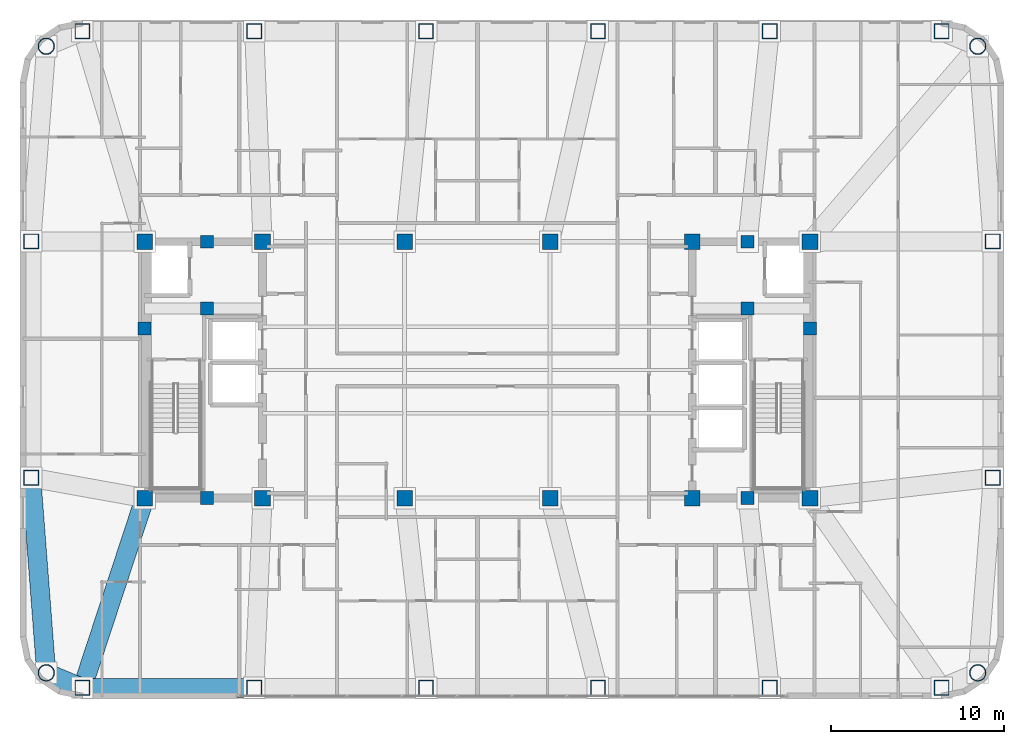
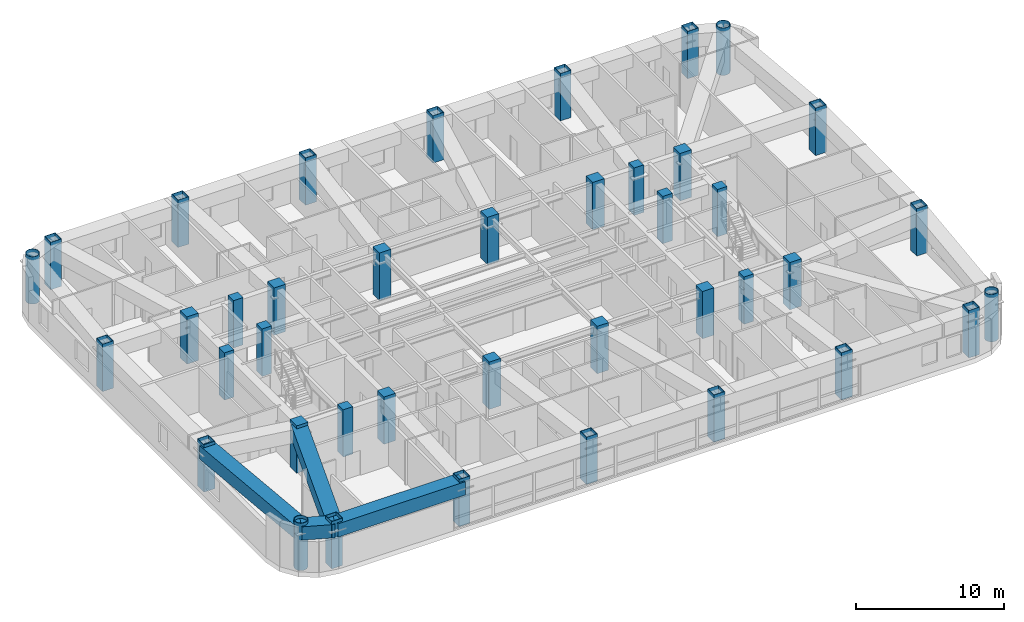
# One storey, part 1 of 16: 40 columns, 4 beams.
"""IFC4 building model written with IfcOpenShell, lengths in metres."""

from ifc_helpers import new_model, si_unit, direction, frame, origin, origin_2d, place, context, subcontext, project, spatial, rectangle, hollow_rectangle, hollow_circle, extrude, material, material_profile, profile_set, type_object, element, save


model = new_model("IFC4")

# Units and contexts
model_context = context("Model", 3, precision=1e-05, world=origin(), true_north=direction((0.0, 1.0)))
body_context = subcontext(model_context, "Body", "Model", "MODEL_VIEW")
ifc_project = project(units=[si_unit("LENGTHUNIT", "METRE"), si_unit("AREAUNIT", "SQUARE_METRE"), si_unit("VOLUMEUNIT", "CUBIC_METRE"), si_unit("PLANEANGLEUNIT", "RADIAN"), si_unit("MASSUNIT", "GRAM", prefix="KILO")], contexts=[model_context])

# Site, building, storey
site_placement = place(None, origin())
site = spatial("IfcSite", under=ifc_project, at=site_placement, CompositionType="ELEMENT")
building_placement = place(site_placement, origin())
building = spatial("IfcBuilding", under=site, at=building_placement, Name="Voryun Gate Residences", CompositionType="ELEMENT")
storey_placement = place(building_placement, frame((0.0, 0.0, 200.199951171875)))
storey = spatial("IfcBuildingStorey", under=building, at=storey_placement, Name="L49", CompositionType="ELEMENT", Elevation=200.199951171875)

# Columns
ifc_material_1 = material(Name="Concrete C50/60", Category="concrete")
ifc_material_profile_1 = material_profile(ifc_material_1, rectangle(XDim=0.75, YDim=0.75, at=origin_2d()), Name="RC-750x750")
ifc_profile_set_1 = profile_set([ifc_material_profile_1], Name="Concrete C50/60")
column_type_1 = type_object("IfcColumnType", Name="COL_CORE_750", PredefinedType="COLUMN", material=ifc_profile_set_1)
for number, where, z_axis, x_axis, name in (
    (1, (-19.199951171875, 2.39990234375, 0.0), (0.0, 0.0, 1.0), (1.0, 0.0, 0.0), "L49 Core boundary column WC-MW"),
    (2, (-15.60009765625, -7.39990234375, 0.0), (0.0, 0.0, 1.0), (1.0, 0.0, 0.0), "L49 Core boundary column WC-SM"),
    (3, (-15.60009765625, 7.39990234375, 0.0), (0.0, 0.0, 1.0), (1.0, 0.0, 0.0), "L49 Core boundary column WC-NM"),
    (4, (-15.60009765625, 3.550048828125, 0.0), (0.0, 0.0, 1.0), (1.0, 0.0, 0.0), "L49 Core boundary column WC-MM"),
    (5, (15.60009765625, 3.550048828125, 0.0), (0.0, 0.0, 1.0), (1.0, 0.0, 0.0), "L49 Core boundary column EC-MM"),
    (6, (15.60009765625, -7.39990234375, 0.0), (0.0, 0.0, 1.0), (1.0, 0.0, 0.0), "L49 Core boundary column EC-SM"),
    (7, (15.60009765625, 7.39990234375, 0.0), (0.0, 0.0, 1.0), (1.0, 0.0, 0.0), "L49 Core boundary column EC-NM"),
    (8, (19.199951171875, 2.39990234375, 0.0), (0.0, 0.0, 1.0), (1.0, 0.0, 0.0), "L49 Core boundary column EC-ME"),
):
    element("IfcColumn", number, at=place(storey_placement, frame(where, z_axis=z_axis, x_axis=x_axis)), inside=storey, type_object=column_type_1, Name=name, PredefinedType="COLUMN", context=body_context, shape_type="SweptSolid", body=[
        extrude(rectangle(XDim=0.75, YDim=0.75, at=origin_2d()), origin(), (0.0, 0.0, 1.0), 3.900146484375),
    ])
ifc_material_2 = material(Name="Concrete C50/60", Category="concrete")
ifc_material_profile_2 = material_profile(ifc_material_2, rectangle(XDim=0.89990234375, YDim=0.89990234375, at=origin_2d()), Name="RC-900x900")
ifc_profile_set_2 = profile_set([ifc_material_profile_2], Name="Concrete C50/60")
column_type_2 = type_object("IfcColumnType", Name="COL_CORE_900", PredefinedType="COLUMN", material=ifc_profile_set_2)
for number, where, z_axis, x_axis, name in (
    (9, (-19.199951171875, -7.39990234375, 0.0), (0.0, 0.0, 1.0), (1.0, 0.0, 0.0), "L49 Core boundary column WC-SW"),
    (10, (-19.199951171875, 7.39990234375, 0.0), (0.0, 0.0, 1.0), (1.0, 0.0, 0.0), "L49 Core boundary column WC-NW"),
    (11, (-12.39990234375, -7.39990234375, 0.0), (0.0, 0.0, 1.0), (1.0, 0.0, 0.0), "L49 Core boundary column WC-SE"),
    (12, (-12.39990234375, 7.39990234375, 0.0), (0.0, 0.0, 1.0), (1.0, 0.0, 0.0), "L49 Core boundary column WC-NE"),
    (13, (12.39990234375, -7.39990234375, 0.0), (0.0, 0.0, 1.0), (1.0, 0.0, 0.0), "L49 Core boundary column EC-SW"),
    (14, (12.39990234375, 7.39990234375, 0.0), (0.0, 0.0, 1.0), (1.0, 0.0, 0.0), "L49 Core boundary column EC-NW"),
    (15, (19.199951171875, -7.39990234375, 0.0), (0.0, 0.0, 1.0), (1.0, 0.0, 0.0), "L49 Core boundary column EC-SE"),
    (16, (19.199951171875, 7.39990234375, 0.0), (0.0, 0.0, 1.0), (1.0, 0.0, 0.0), "L49 Core boundary column EC-NE"),
    (17, (-4.199951171875, -7.39990234375, 0.0), (0.0, 0.0, 1.0), (1.0, 0.0, 0.0), "L49 Interior spine column SP-WS"),
    (18, (-4.199951171875, 7.39990234375, 0.0), (0.0, 0.0, 1.0), (1.0, 0.0, 0.0), "L49 Interior spine column SP-WN"),
    (19, (4.199951171875, -7.39990234375, 0.0), (0.0, 0.0, 1.0), (1.0, 0.0, 0.0), "L49 Interior spine column SP-ES"),
    (20, (4.199951171875, 7.39990234375, 0.0), (0.0, 0.0, 1.0), (1.0, 0.0, 0.0), "L49 Interior spine column SP-EN"),
):
    element("IfcColumn", number, at=place(storey_placement, frame(where, z_axis=z_axis, x_axis=x_axis)), inside=storey, type_object=column_type_2, Name=name, PredefinedType="COLUMN", context=body_context, shape_type="SweptSolid", body=[
        extrude(rectangle(XDim=0.89990234375, YDim=0.89990234375, at=origin_2d()), origin(), (0.0, 0.0, 1.0), 3.900146484375),
    ])
ifc_material_3 = material(Name="Steel SM420", Category="steel")
ifc_material_profile_3 = material_profile(ifc_material_3, hollow_circle(Radius=0.47509765625, WallThickness=0.031982421875, at=origin_2d()), Name="CHS-950x32")
ifc_profile_set_3 = profile_set([ifc_material_profile_3], Name="Steel SM420")
column_type_3 = type_object("IfcColumnType", Name="COL_CRN_950", PredefinedType="COLUMN", material=ifc_profile_set_3)
for number, where, z_axis, x_axis, name in (
    (21, (28.885986328125, -17.486083984375, 0.0), (0.0, 0.0, 1.0), (1.0, 0.0, 0.0), "L49 Exoskeleton column CSE"),
    (22, (28.885986328125, 18.68603515625, 0.0), (0.0, 0.0, 1.0), (1.0, 0.0, 0.0), "L49 Exoskeleton column CNE"),
    (23, (-24.885986328125, 18.68603515625, 0.0), (0.0, 0.0, 1.0), (1.0, 0.0, 0.0), "L49 Exoskeleton column CNW"),
    (24, (-24.885986328125, -17.486083984375, 0.0), (0.0, 0.0, 1.0), (1.0, 0.0, 0.0), "L49 Exoskeleton column CSW"),
):
    element("IfcColumn", number, at=place(storey_placement, frame(where, z_axis=z_axis, x_axis=x_axis)), inside=storey, type_object=column_type_3, Name=name, PredefinedType="COLUMN", context=body_context, shape_type="SweptSolid", body=[
        extrude(hollow_circle(Radius=0.47509765625, WallThickness=0.031982421875, at=origin_2d()), origin(), (0.0, 0.0, 1.0), 3.900146484375),
    ])
ifc_material_4 = material(Name="Steel SM355", Category="steel")
ifc_material_profile_4 = material_profile(ifc_material_4, hollow_rectangle(XDim=0.85009765625, YDim=0.85009765625, WallThickness=0.028076171875, at=origin_2d()), Name="BOX-850x850x28")
ifc_profile_set_4 = profile_set([ifc_material_profile_4], Name="Steel SM355")
column_type_4 = type_object("IfcColumnType", Name="COL_EXO_B4", PredefinedType="COLUMN", material=ifc_profile_set_4)
for number, where, z_axis, x_axis, name in (
    (25, (-22.800048828125, -18.35009765625, 0.0), (0.0, 0.0, 1.0), (1.0, 0.0, 0.0), "L49 Exoskeleton column S1"),
    (26, (-12.8798828125, -18.35009765625, 0.0), (0.0, 0.0, 1.0), (1.0, 0.0, 0.0), "L49 Exoskeleton column S2"),
    (27, (-2.9599609375, -18.35009765625, 0.0), (0.0, 0.0, 1.0), (1.0, 0.0, 0.0), "L49 Exoskeleton column S3"),
    (28, (6.9599609375, -18.35009765625, 0.0), (0.0, 0.0, 1.0), (1.0, 0.0, 0.0), "L49 Exoskeleton column S4"),
    (29, (16.8798828125, -18.35009765625, 0.0), (0.0, 0.0, 1.0), (1.0, 0.0, 0.0), "L49 Exoskeleton column S5"),
    (30, (26.800048828125, -18.35009765625, 0.0), (0.0, 0.0, 1.0), (1.0, 0.0, 0.0), "L49 Exoskeleton column S6"),
    (31, (29.75, -6.221923828125, 0.0), (0.0, 0.0, 1.0), (1.0, 0.0, 0.0), "L49 Exoskeleton column E1"),
    (32, (29.75, 7.422119140625, 0.0), (0.0, 0.0, 1.0), (1.0, 0.0, 0.0), "L49 Exoskeleton column E2"),
    (33, (26.800048828125, 19.550048828125, 0.0), (0.0, 0.0, 1.0), (1.0, 0.0, 0.0), "L49 Exoskeleton column N1"),
    (34, (16.8798828125, 19.550048828125, 0.0), (0.0, 0.0, 1.0), (1.0, 0.0, 0.0), "L49 Exoskeleton column N2"),
    (35, (6.9599609375, 19.550048828125, 0.0), (0.0, 0.0, 1.0), (1.0, 0.0, 0.0), "L49 Exoskeleton column N3"),
    (36, (-2.9599609375, 19.550048828125, 0.0), (0.0, 0.0, 1.0), (1.0, 0.0, 0.0), "L49 Exoskeleton column N4"),
    (37, (-12.8798828125, 19.550048828125, 0.0), (0.0, 0.0, 1.0), (1.0, 0.0, 0.0), "L49 Exoskeleton column N5"),
    (38, (-22.800048828125, 19.550048828125, 0.0), (0.0, 0.0, 1.0), (1.0, 0.0, 0.0), "L49 Exoskeleton column N6"),
    (39, (-25.75, 7.422119140625, 0.0), (0.0, 0.0, 1.0), (1.0, 0.0, 0.0), "L49 Exoskeleton column W1"),
    (40, (-25.75, -6.221923828125, 0.0), (0.0, 0.0, 1.0), (1.0, 0.0, 0.0), "L49 Exoskeleton column W2"),
):
    element("IfcColumn", number, at=place(storey_placement, frame(where, z_axis=z_axis, x_axis=x_axis)), inside=storey, type_object=column_type_4, Name=name, PredefinedType="COLUMN", context=body_context, shape_type="SweptSolid", body=[
        extrude(hollow_rectangle(XDim=0.85009765625, YDim=0.85009765625, WallThickness=0.028076171875, at=origin_2d()), origin(), (0.0, 0.0, 1.0), 3.900146484375),
    ])

# Beams
ifc_material_5 = material(Name="Steel SM420", Category="steel")
ifc_material_profile_5 = material_profile(ifc_material_5, hollow_rectangle(XDim=1.10009765625, YDim=1.10009765625, WallThickness=0.035888671875, at=origin_2d()), Name="BOX-1100x1100x36")
ifc_profile_set_5 = profile_set([ifc_material_profile_5], Name="Steel SM420")
beam_type = type_object("IfcBeamType", Name="BM_ARCH_RIB", PredefinedType="USERDEFINED", material=ifc_profile_set_5)
beam_1_placement = place(storey_placement, frame((-22.800048828125, -18.35009765625, 3.10009765625), z_axis=(1.0, 0.0, 0.0), x_axis=(0.0, 1.0, 0.0)))
element("IfcBeam", 41, at=beam_1_placement, inside=storey, type_object=beam_type, Name="BM-L49-SPAND-01", ObjectType="GIRDER", PredefinedType="USERDEFINED", context=body_context, shape_type="SweptSolid", body=[
    extrude(hollow_rectangle(XDim=1.10009765625, YDim=1.10009765625, WallThickness=0.035888671875, at=origin_2d()), origin(), (0.0, 0.0, 1.0), 9.920166015625),
])
beam_2_placement = place(storey_placement, frame((-25.75, -6.221923828125, 3.10009765625), z_axis=(0.076480009441, -0.997071114894, 0.0), x_axis=(0.997071114894, 0.076480009441, 0.0)))
element("IfcBeam", 42, at=beam_2_placement, inside=storey, type_object=beam_type, Name="BM-L49-SPAND-19", ObjectType="GIRDER", PredefinedType="USERDEFINED", context=body_context, shape_type="SweptSolid", body=[
    extrude(hollow_rectangle(XDim=1.10009765625, YDim=1.10009765625, WallThickness=0.035888671875, at=origin_2d()), origin(), (0.0, 0.0, 1.0), 11.29736328125),
])
beam_3_placement = place(storey_placement, frame((-24.885986328125, -17.486083984375, 3.10009765625), z_axis=(0.923881087602, -0.382679678022, 0.0), x_axis=(0.382679678022, 0.923881087602, 0.0)))
element("IfcBeam", 43, at=beam_3_placement, inside=storey, type_object=beam_type, Name="BM-L49-SPAND-20", ObjectType="GIRDER", PredefinedType="USERDEFINED", context=body_context, shape_type="SweptSolid", body=[
    extrude(hollow_rectangle(XDim=1.10009765625, YDim=1.10009765625, WallThickness=0.035888671875, at=origin_2d()), origin(), (0.0, 0.0, 1.0), 2.2578125),
])
beam_4_placement = place(storey_placement, frame((-19.199951171875, -7.39990234375, 3.10009765625), z_axis=(-0.312323693326, -0.949975742104, 0.0), x_axis=(0.949975742104, -0.312323693326, 0.0)))
element("IfcBeam", 44, at=beam_4_placement, inside=storey, type_object=beam_type, Name="BM-L49-RAD-S1", ObjectType="GIRDER", PredefinedType="USERDEFINED", context=body_context, shape_type="SweptSolid", body=[
    extrude(hollow_rectangle(XDim=1.10009765625, YDim=1.10009765625, WallThickness=0.035888671875, at=origin_2d()), origin(), (0.0, 0.0, 1.0), 11.52685546875),
])

save(model, "model.ifc")
